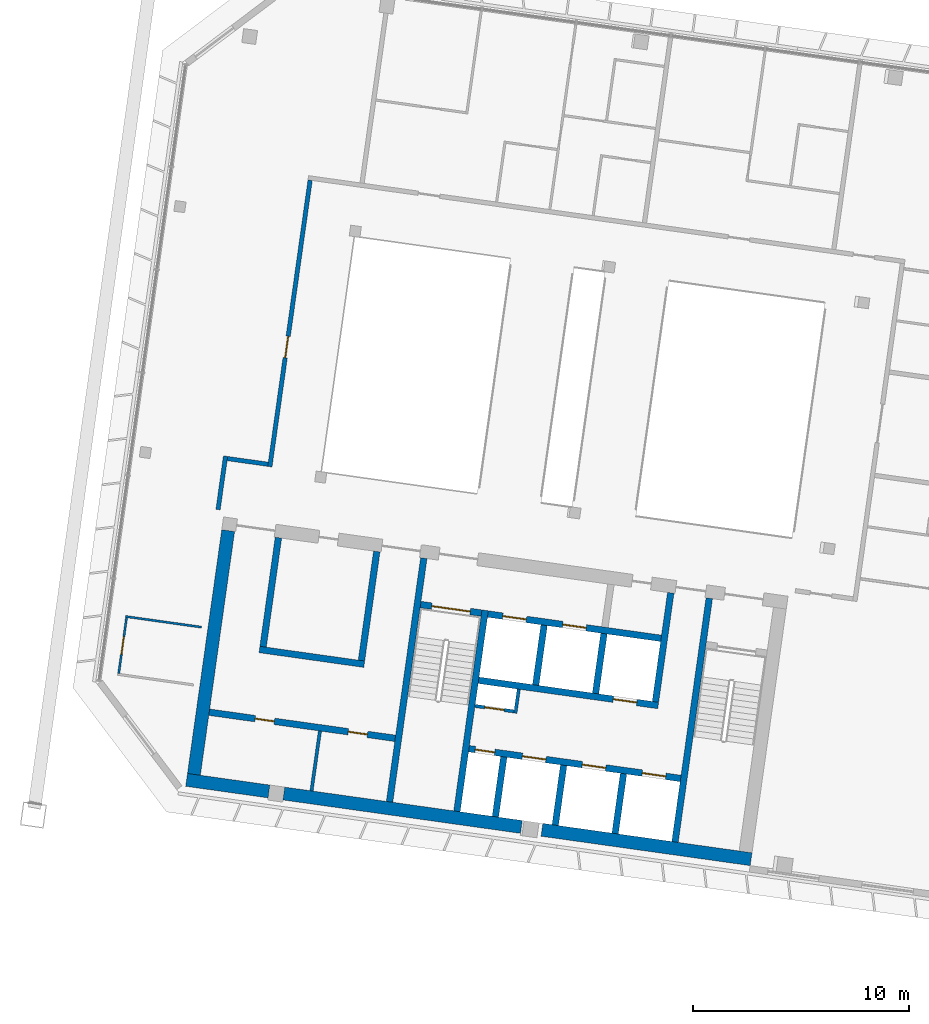
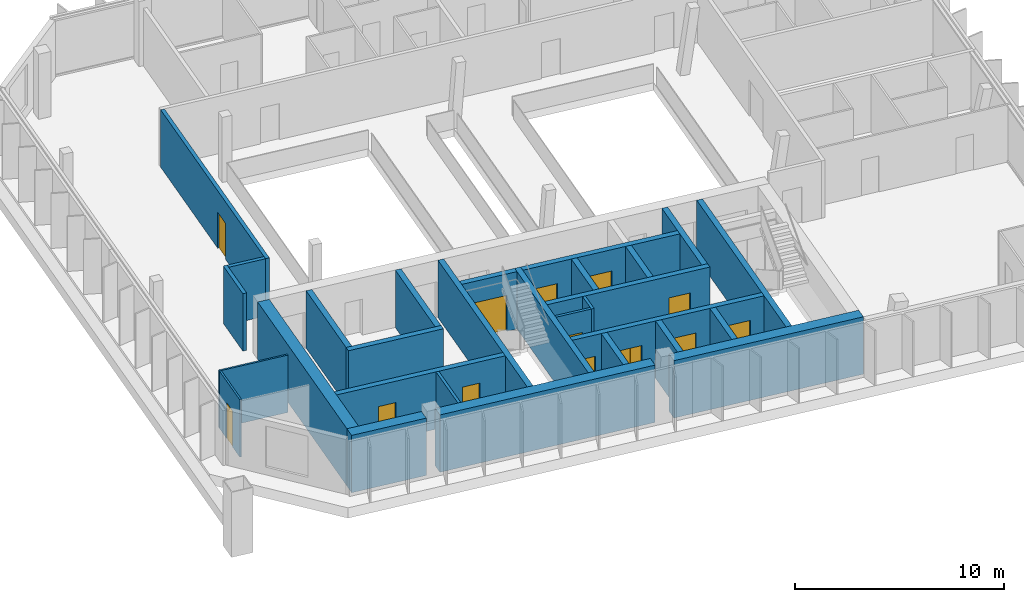
# One storey, part 16 of 26: 29 walls, 13 doors, 13 openings.
"""IFC4 building model written with IfcOpenShell, lengths in metres."""

from ifc_helpers import new_model, si_unit, direction, frame, frame_2d, origin, place, context, subcontext, project, spatial, rectangle, extrude, material, layer, layer_set, type_object, element, fill, save


model = new_model("IFC4")

# Units and contexts
model_context = context("Model", 3, precision=1e-05, world=origin(), true_north=direction((0.0, 1.0)))
body_context = subcontext(model_context, "Body", "Model", "MODEL_VIEW")
ifc_project = project(units=[si_unit("LENGTHUNIT", "METRE"), si_unit("AREAUNIT", "SQUARE_METRE"), si_unit("VOLUMEUNIT", "CUBIC_METRE"), si_unit("PLANEANGLEUNIT", "RADIAN"), si_unit("MASSUNIT", "GRAM", prefix="KILO")], contexts=[model_context])

# Site, building, storey
site_placement = place(None, origin())
site = spatial("IfcSite", under=ifc_project, at=site_placement, CompositionType="ELEMENT")
building_placement = place(site_placement, origin())
building = spatial("IfcBuilding", under=site, at=building_placement, Name="Mirante Cascada Hotel Towers", CompositionType="ELEMENT")
storey_placement = place(building_placement, frame((0.0, 0.0, 235.6)))
storey = spatial("IfcBuildingStorey", under=building, at=storey_placement, Name="L56", CompositionType="ELEMENT", Elevation=235.6)

# Wall
ifc_material_1 = material(Name="Fire-rated plasterboard on metal studs")
ifc_layer_1 = layer(ifc_material_1, 0.2)
ifc_layer_set_1 = layer_set([ifc_layer_1], Name="Compartment wall 200 EI 120")
wall_type_1 = type_object("IfcWallType", Name="Compartment wall 200 EI 120", PredefinedType="PARTITIONING", material=ifc_layer_set_1)
wall_1_placement = place(storey_placement, frame((-61.5676, -0.9969, 0.0), z_axis=(0.0, 0.0, 1.0), x_axis=(0.9902701, -0.1391589, 0.0)))
element("IfcWall", 1, at=wall_1_placement, inside=storey, type_object=wall_type_1, Name="Wall 1-L56-06", PredefinedType="PARTITIONING", context=body_context, shape_type="SweptSolid", body=[
    extrude(rectangle(XDim=1.9, YDim=0.2, at=frame_2d((0.95, 0.0))), origin(), (0.0, 0.0, 1.0), 3.35),
])

# Wall, opening, door
wall_2_placement = place(storey_placement, frame((-59.601, -1.3742, 0.0), z_axis=(0.0, 0.0, 1.0), x_axis=(0.1391726, 0.9902681, 0.0)))
wall_2 = element("IfcWall", 2, at=wall_2_placement, inside=storey, type_object=wall_type_1, Name="Wall 1-L56-43", PredefinedType="PARTITIONING", context=body_context, shape_type="SweptSolid", body=[
    extrude(rectangle(XDim=13.3999, YDim=0.2, at=frame_2d((6.7, 0.0))), origin(), (0.0, 0.0, 1.0), 3.35),
])
opening_1_placement = place(wall_2_placement, frame((5.1, 0.0, 0.0)))
opening_1 = element("IfcOpeningElement", 3, at=opening_1_placement, cuts=wall_2, Name="Opening D1-L56-26", PredefinedType="OPENING", context=body_context, shape_type="SweptSolid", body=[
    extrude(rectangle(XDim=1.0, YDim=2.1, at=frame_2d((0.5, 1.05))), frame((0.0, 0.1, 0.0), z_axis=(0.0, -1.0, 0.0), x_axis=(1.0, 0.0, 0.0)), (0.0, 0.0, 1.0), 0.2),
])
ifc_material_2 = material(Name="Fire-rated timber door leaf", Category="wood")
door_type_1 = type_object("IfcDoorType", Name="Entrance door DG1 1000x2100 EI 60", OperationType="SINGLE_SWING_LEFT", PredefinedType="DOOR", material=ifc_material_2)
door_1_placement = place(opening_1_placement, origin())
door_1 = element("IfcDoor", 4, at=door_1_placement, inside=storey, type_object=door_type_1, Name="Door D1-L56-26", OperationType="SINGLE_SWING_LEFT", OverallHeight=2.1, OverallWidth=1.0, PredefinedType="DOOR", context=body_context, shape_type="SweptSolid", body=[
    extrude(rectangle(XDim=1.0, YDim=2.1, at=frame_2d((0.5, 1.05))), frame((0.0, 0.025, 0.0), z_axis=(0.0, -1.0, 0.0), x_axis=(1.0, 0.0, 0.0)), (0.0, 0.0, 1.0), 0.05),
])
fill(opening_1, door_1)

# Walls
wall_3_placement = place(storey_placement, frame((-61.6527, -0.8839, 0.0), z_axis=(0.0, 0.0, 1.0), x_axis=(-0.1391586, -0.9902701, 0.0)))
element("IfcWall", 5, at=wall_3_placement, inside=storey, type_object=wall_type_1, Name="Wall 1-L56-44", PredefinedType="PARTITIONING", context=body_context, shape_type="SweptSolid", body=[
    extrude(rectangle(XDim=2.5, YDim=0.2, at=frame_2d((1.25, 0.0))), origin(), (0.0, 0.0, 1.0), 3.35),
])
ifc_material_3 = material(Name="Masonry block", Category="masonry")
ifc_layer_2 = layer(ifc_material_3, 0.15)
ifc_layer_set_2 = layer_set([ifc_layer_2], Name="Core room partition 150 block EI 30")
wall_type_2 = type_object("IfcWallType", Name="Core room partition 150 block EI 30", PredefinedType="PARTITIONING", material=ifc_layer_set_2)
wall_4_placement = place(storey_placement, frame((-48.2295, -12.793, 0.0), z_axis=(0.0, 0.0, 1.0), x_axis=(0.1391935, 0.9902652, 0.0)))
element("IfcWall", 6, at=wall_4_placement, inside=storey, type_object=wall_type_2, Name="Core wall partition T1 L56 2", PredefinedType="PARTITIONING", context=body_context, shape_type="SweptSolid", body=[
    extrude(rectangle(XDim=1.1251, YDim=0.15, at=frame_2d((0.5626, 0.0))), origin(), (0.0, 0.0, 1.0), 3.35),
])

# Wall, opening, door
wall_5_placement = place(storey_placement, frame((-48.2933, -12.7083, 0.0), z_axis=(0.0, 0.0, 1.0), x_axis=(-0.990268, 0.1391734, 0.0)))
wall_5 = element("IfcWall", 7, at=wall_5_placement, inside=storey, type_object=wall_type_2, Name="Core wall partition T1 L56 3", PredefinedType="PARTITIONING", context=body_context, shape_type="SweptSolid", body=[
    extrude(rectangle(XDim=1.8251, YDim=0.15, at=frame_2d((0.9126, 0.0))), origin(), (0.0, 0.0, 1.0), 3.35),
])
opening_2_placement = place(wall_5_placement, frame((0.4625, 0.0, 0.0)))
opening_2 = element("IfcOpeningElement", 8, at=opening_2_placement, cuts=wall_5, Name="Opening D1-56-C15", PredefinedType="OPENING", context=body_context, shape_type="SweptSolid", body=[
    extrude(rectangle(XDim=0.9, YDim=2.1, at=frame_2d((0.45, 1.05))), frame((0.0, 0.075, 0.0), z_axis=(0.0, -1.0, 0.0), x_axis=(1.0, 0.0, 0.0)), (0.0, 0.0, 1.0), 0.15),
])
ifc_material_4 = material(Name="Hollow metal fire door leaf")
door_type_2 = type_object("IfcDoorType", Name="Fire door 900x2100 FD60", OperationType="NOTDEFINED", PredefinedType="DOOR", material=ifc_material_4)
door_2_placement = place(opening_2_placement, origin())
door_2 = element("IfcDoor", 9, at=door_2_placement, inside=storey, type_object=door_type_2, Name="Riser door T1 L56 15", OperationType="SINGLE_SWING_LEFT", OverallHeight=2.1, OverallWidth=0.9, PredefinedType="DOOR", context=body_context, shape_type="SweptSolid", body=[
    extrude(rectangle(XDim=0.9, YDim=2.1, at=frame_2d((0.45, 1.05))), frame((0.0, 0.025, 0.0), z_axis=(0.0, -1.0, 0.0), x_axis=(1.0, 0.0, 0.0)), (0.0, 0.0, 1.0), 0.05),
])
fill(opening_2, door_2)

# Wall
wall_6_placement = place(storey_placement, frame((-57.6718, -16.3889, 0.0), z_axis=(0.0, 0.0, 1.0), x_axis=(0.139141, 0.9902726, 0.0)))
element("IfcWall", 10, at=wall_6_placement, inside=storey, type_object=wall_type_2, Name="Core wall partition T1 L56 5", PredefinedType="PARTITIONING", context=body_context, shape_type="SweptSolid", body=[
    extrude(rectangle(XDim=2.8, YDim=0.15, at=frame_2d((1.4, 0.0))), origin(), (0.0, 0.0, 1.0), 3.35),
])

# Wall, openings, doors
ifc_material_5 = material(Name="Masonry block", Category="masonry")
ifc_layer_3 = layer(ifc_material_5, 0.3)
ifc_layer_set_3 = layer_set([ifc_layer_3], Name="Core wall 300 block EI 120")
wall_type_3 = type_object("IfcWallType", Name="Core wall 300 block EI 120", PredefinedType="PARTITIONING", material=ifc_layer_set_3)
wall_7_placement = place(storey_placement, frame((-53.7953, -13.9547, 0.0), z_axis=(0.0, 0.0, 1.0), x_axis=(-0.9902683, 0.1391714, 0.0)))
wall_7 = element("IfcWall", 11, at=wall_7_placement, inside=storey, type_object=wall_type_3, Name="Core wall partition T1 L56 4", PredefinedType="PARTITIONING", context=body_context, shape_type="SweptSolid", body=[
    extrude(rectangle(XDim=8.7001, YDim=0.3, at=frame_2d((4.3501, 0.0))), origin(), (0.0, 0.0, 1.0), 3.35),
])
opening_3_placement = place(wall_7_placement, frame((1.3, 0.0, 0.0)))
opening_3 = element("IfcOpeningElement", 12, at=opening_3_placement, cuts=wall_7, Name="Opening D1-56-C17", PredefinedType="OPENING", context=body_context, shape_type="SweptSolid", body=[
    extrude(rectangle(XDim=0.9, YDim=2.1, at=frame_2d((0.45, 1.05))), frame((0.0, 0.15, 0.0), z_axis=(0.0, -1.0, 0.0), x_axis=(1.0, 0.0, 0.0)), (0.0, 0.0, 1.0), 0.3),
])
opening_4_placement = place(wall_7_placement, frame((5.65, 0.0, 0.0)))
opening_4 = element("IfcOpeningElement", 13, at=opening_4_placement, cuts=wall_7, Name="Opening D1-56-C18", PredefinedType="OPENING", context=body_context, shape_type="SweptSolid", body=[
    extrude(rectangle(XDim=0.9, YDim=2.1, at=frame_2d((0.45, 1.05))), frame((0.0, 0.15, 0.0), z_axis=(0.0, -1.0, 0.0), x_axis=(1.0, 0.0, 0.0)), (0.0, 0.0, 1.0), 0.3),
])
door_3_placement = place(opening_3_placement, origin())
door_3 = element("IfcDoor", 14, at=door_3_placement, inside=storey, type_object=door_type_2, Name="Room door T1 L56 17", OperationType="SINGLE_SWING_RIGHT", OverallHeight=2.1, OverallWidth=0.9, PredefinedType="DOOR", context=body_context, shape_type="SweptSolid", body=[
    extrude(rectangle(XDim=0.9, YDim=2.1, at=frame_2d((0.45, 1.05))), frame((0.0, 0.025, 0.0), z_axis=(0.0, -1.0, 0.0), x_axis=(1.0, 0.0, 0.0)), (0.0, 0.0, 1.0), 0.05),
])
fill(opening_3, door_3)
door_4_placement = place(opening_4_placement, origin())
door_4 = element("IfcDoor", 15, at=door_4_placement, inside=storey, type_object=door_type_2, Name="Room door T1 L56 18", OperationType="SINGLE_SWING_LEFT", OverallHeight=2.1, OverallWidth=0.9, PredefinedType="DOOR", context=body_context, shape_type="SweptSolid", body=[
    extrude(rectangle(XDim=0.9, YDim=2.1, at=frame_2d((0.45, 1.05))), frame((0.0, 0.025, 0.0), z_axis=(0.0, -1.0, 0.0), x_axis=(1.0, 0.0, 0.0)), (0.0, 0.0, 1.0), 0.05),
])
fill(opening_4, door_4)

# Wall
ifc_material_6 = material(Name="Plasterboard on metal studs")
ifc_layer_4 = layer(ifc_material_6, 0.1)
ifc_layer_set_4 = layer_set([ifc_layer_4], Name="Partition 100")
wall_type_4 = type_object("IfcWallType", Name="Partition 100", PredefinedType="PARTITIONING", material=ifc_layer_set_4)
wall_8_placement = place(storey_placement, frame((-62.7661, -8.8061, 0.0), z_axis=(0.0, 0.0, 1.0), x_axis=(-0.990267, 0.139181, 0.0)))
element("IfcWall", 16, at=wall_8_placement, inside=storey, type_object=wall_type_4, Name="Wall 1-L56-03", PredefinedType="PARTITIONING", context=body_context, shape_type="SweptSolid", body=[
    extrude(rectangle(XDim=3.5501, YDim=0.1, at=frame_2d((1.775, 0.0))), origin(), (0.0, 0.0, 1.0), 3.35),
])

# Wall, opening, door
wall_9_placement = place(storey_placement, frame((-66.6008, -10.9432, 0.0), z_axis=(0.0, 0.0, 1.0), x_axis=(0.1391541, 0.9902707, 0.0)))
wall_9 = element("IfcWall", 17, at=wall_9_placement, inside=storey, type_object=wall_type_4, Name="Wall 1-L56-45", PredefinedType="PARTITIONING", context=body_context, shape_type="SweptSolid", body=[
    extrude(rectangle(XDim=2.6, YDim=0.1, at=frame_2d((1.3, 0.0))), origin(), (0.0, 0.0, 1.0), 3.35),
])
opening_5_placement = place(wall_9_placement, frame((0.9, 0.0, 0.0)))
opening_5 = element("IfcOpeningElement", 18, at=opening_5_placement, cuts=wall_9, Name="Opening D1-L56-27", PredefinedType="OPENING", context=body_context, shape_type="SweptSolid", body=[
    extrude(rectangle(XDim=0.8, YDim=2.1, at=frame_2d((0.4, 1.05))), frame((0.0, 0.05, 0.0), z_axis=(0.0, -1.0, 0.0), x_axis=(1.0, 0.0, 0.0)), (0.0, 0.0, 1.0), 0.1),
])
ifc_material_7 = material(Name="Timber door leaf", Category="wood")
door_type_3 = type_object("IfcDoorType", Name="Bathroom door DG4 800x2100", OperationType="SINGLE_SWING_LEFT", PredefinedType="DOOR", material=ifc_material_7)
door_5_placement = place(opening_5_placement, frame((0.8, 0.0, 0.0), z_axis=(0.0, 0.0, 1.0), x_axis=(-1.0, 0.0, 0.0)))
door_5 = element("IfcDoor", 19, at=door_5_placement, inside=storey, type_object=door_type_3, Name="Door D1-L56-27", OperationType="SINGLE_SWING_RIGHT", OverallHeight=2.1, OverallWidth=0.8, PredefinedType="DOOR", context=body_context, shape_type="SweptSolid", body=[
    extrude(rectangle(XDim=0.8, YDim=2.1, at=frame_2d((0.4, 1.05))), frame((0.0, 0.025, 0.0), z_axis=(0.0, -1.0, 0.0), x_axis=(1.0, 0.0, 0.0)), (0.0, 0.0, 1.0), 0.05),
])
fill(opening_5, door_5)

# Walls
ifc_material_8 = material(Name="Concrete C50/60", Category="concrete")
ifc_layer_5 = layer(ifc_material_8, 0.3)
ifc_layer_set_5 = layer_set([ifc_layer_5], Name="RC core wall 300 C50/60")
wall_type_5 = type_object("IfcWallType", Name="RC core wall 300 C50/60", PredefinedType="SHEAR", material=ifc_layer_set_5)
wall_10_placement = place(storey_placement, frame((-40.8373, -18.7548, 0.0), z_axis=(0.0, 0.0, 1.0), x_axis=(0.1391749, 0.9902678, 0.0)))
element("IfcWall", 20, at=wall_10_placement, inside=storey, type_object=wall_type_5, Name="Core wall T1:L56:5", PredefinedType="SHEAR", context=body_context, shape_type="SweptSolid", body=[
    extrude(rectangle(XDim=11.4, YDim=0.3, at=frame_2d((5.7, 0.0))), origin(), (0.0, 0.0, 1.0), 3.35),
])
wall_11_placement = place(storey_placement, frame((-50.938, -17.3352, 0.0), z_axis=(0.0, 0.0, 1.0), x_axis=(0.1391706, 0.9902684, 0.0)))
element("IfcWall", 21, at=wall_11_placement, inside=storey, type_object=wall_type_5, Name="Core wall T1:L56:6", PredefinedType="SHEAR", context=body_context, shape_type="SweptSolid", body=[
    extrude(rectangle(XDim=9.4, YDim=0.3, at=frame_2d((4.7, 0.0))), origin(), (0.0, 0.0, 1.0), 3.35),
])
wall_12_placement = place(storey_placement, frame((-54.0574, -16.8968, 0.0), z_axis=(0.0, 0.0, 1.0), x_axis=(0.1391761, 0.9902677, 0.0)))
element("IfcWall", 22, at=wall_12_placement, inside=storey, type_object=wall_type_5, Name="Core wall T1:L56:7", PredefinedType="SHEAR", context=body_context, shape_type="SweptSolid", body=[
    extrude(rectangle(XDim=11.3999, YDim=0.3, at=frame_2d((5.7, 0.0))), origin(), (0.0, 0.0, 1.0), 3.35),
])

# Wall, opening, door
wall_13_placement = place(storey_placement, frame((-49.7992, -8.1544, 0.0), z_axis=(0.0, 0.0, 1.0), x_axis=(-0.9902656, 0.1391909, 0.0)))
wall_13 = element("IfcWall", 23, at=wall_13_placement, inside=storey, type_object=wall_type_5, Name="Core wall T1:L56:9", PredefinedType="SHEAR", context=body_context, shape_type="SweptSolid", body=[
    extrude(rectangle(XDim=2.85, YDim=0.3, at=frame_2d((1.425, 0.0))), origin(), (0.0, 0.0, 1.0), 3.35),
])
opening_6_placement = place(wall_13_placement, frame((0.525, 0.0, 0.0)))
opening_6 = element("IfcOpeningElement", 24, at=opening_6_placement, cuts=wall_13, Name="Opening D1-56-C09", PredefinedType="OPENING", context=body_context, shape_type="SweptSolid", body=[
    extrude(rectangle(XDim=1.8, YDim=2.1, at=frame_2d((0.9, 1.05))), frame((0.0, 0.15, 0.0), z_axis=(0.0, -1.0, 0.0), x_axis=(1.0, 0.0, 0.0)), (0.0, 0.0, 1.0), 0.3),
])
ifc_material_9 = material(Name="Hollow metal fire door leaf")
door_type_4 = type_object("IfcDoorType", Name="Double fire door 1800x2100 FD60", OperationType="DOUBLE_DOOR_SINGLE_SWING", PredefinedType="DOOR", material=ifc_material_9)
door_6_placement = place(opening_6_placement, origin())
door_6 = element("IfcDoor", 25, at=door_6_placement, inside=storey, type_object=door_type_4, Name="Stair door T1 L56 9", OperationType="DOUBLE_DOOR_SINGLE_SWING", OverallHeight=2.1, OverallWidth=1.8, PredefinedType="DOOR", context=body_context, shape_type="SweptSolid", body=[
    extrude(rectangle(XDim=0.895, YDim=2.1, at=frame_2d((0.4475, 1.05))), frame((0.0, 0.025, 0.0), z_axis=(0.0, -1.0, 0.0), x_axis=(1.0, 0.0, 0.0)), (0.0, 0.0, 1.0), 0.05),
    extrude(rectangle(XDim=0.895, YDim=2.1, at=frame_2d((1.3525, 1.05))), frame((0.0, 0.025, 0.0), z_axis=(0.0, -1.0, 0.0), x_axis=(1.0, 0.0, 0.0)), (0.0, 0.0, 1.0), 0.05),
])
fill(opening_6, door_6)

# Wall, openings, doors
wall_14_placement = place(storey_placement, frame((-40.5753, -15.8126, 0.0), z_axis=(0.0, 0.0, 1.0), x_axis=(-0.9902682, 0.1391725, 0.0)))
wall_14 = element("IfcWall", 26, at=wall_14_placement, inside=storey, type_object=wall_type_5, Name="Core wall T1:L56:10", PredefinedType="SHEAR", context=body_context, shape_type="SweptSolid", body=[
    extrude(rectangle(XDim=9.8999, YDim=0.3, at=frame_2d((4.95, 0.0))), origin(), (0.0, 0.0, 1.0), 3.35),
])
opening_7_placement = place(wall_14_placement, frame((0.7, 0.0, 0.0)))
opening_7 = element("IfcOpeningElement", 27, at=opening_7_placement, cuts=wall_14, Name="Opening LD", PredefinedType="OPENING", context=body_context, shape_type="SweptSolid", body=[
    extrude(rectangle(XDim=1.1, YDim=2.1, at=frame_2d((0.55, 1.05))), frame((0.0, 0.15, 0.0), z_axis=(0.0, -1.0, 0.0), x_axis=(1.0, 0.0, 0.0)), (0.0, 0.0, 1.0), 0.3),
])
opening_8_placement = place(wall_14_placement, frame((3.5, 0.0, 0.0)))
opening_8 = element("IfcOpeningElement", 28, at=opening_8_placement, cuts=wall_14, Name="Opening LD", PredefinedType="OPENING", context=body_context, shape_type="SweptSolid", body=[
    extrude(rectangle(XDim=1.1, YDim=2.1, at=frame_2d((0.55, 1.05))), frame((0.0, 0.15, 0.0), z_axis=(0.0, -1.0, 0.0), x_axis=(1.0, 0.0, 0.0)), (0.0, 0.0, 1.0), 0.3),
])
opening_9_placement = place(wall_14_placement, frame((6.3, 0.0, 0.0)))
opening_9 = element("IfcOpeningElement", 29, at=opening_9_placement, cuts=wall_14, Name="Opening LD", PredefinedType="OPENING", context=body_context, shape_type="SweptSolid", body=[
    extrude(rectangle(XDim=1.1, YDim=2.1, at=frame_2d((0.55, 1.05))), frame((0.0, 0.15, 0.0), z_axis=(0.0, -1.0, 0.0), x_axis=(1.0, 0.0, 0.0)), (0.0, 0.0, 1.0), 0.3),
])
opening_10_placement = place(wall_14_placement, frame((8.7, 0.0, 0.0)))
opening_10 = element("IfcOpeningElement", 30, at=opening_10_placement, cuts=wall_14, Name="Opening D1-56-C14", PredefinedType="OPENING", context=body_context, shape_type="SweptSolid", body=[
    extrude(rectangle(XDim=0.9, YDim=2.1, at=frame_2d((0.45, 1.05))), frame((0.0, 0.15, 0.0), z_axis=(0.0, -1.0, 0.0), x_axis=(1.0, 0.0, 0.0)), (0.0, 0.0, 1.0), 0.3),
])
door_7_placement = place(opening_10_placement, origin())
door_7 = element("IfcDoor", 31, at=door_7_placement, inside=storey, type_object=door_type_2, Name="Riser door T1 L56 14", OperationType="SINGLE_SWING_LEFT", OverallHeight=2.1, OverallWidth=0.9, PredefinedType="DOOR", context=body_context, shape_type="SweptSolid", body=[
    extrude(rectangle(XDim=0.9, YDim=2.1, at=frame_2d((0.45, 1.05))), frame((0.0, 0.025, 0.0), z_axis=(0.0, -1.0, 0.0), x_axis=(1.0, 0.0, 0.0)), (0.0, 0.0, 1.0), 0.05),
])
fill(opening_10, door_7)
ifc_material_10 = material(Name="Stainless steel", Category="steel")
door_type_5 = type_object("IfcDoorType", Name="Lift landing door 1100x2100 EI 120", OperationType="DOUBLE_DOOR_SLIDING", PredefinedType="DOOR", material=ifc_material_10)
door_8_placement = place(opening_7_placement, origin())
door_8 = element("IfcDoor", 32, at=door_8_placement, inside=storey, type_object=door_type_5, Name="Lift landing door HR1-1 L56", OperationType="DOUBLE_DOOR_SLIDING", OverallHeight=2.1, OverallWidth=1.1, PredefinedType="DOOR", context=body_context, shape_type="SweptSolid", body=[
    extrude(rectangle(XDim=0.545, YDim=2.1, at=frame_2d((0.2725, 1.05))), frame((0.0, 0.025, 0.0), z_axis=(0.0, -1.0, 0.0), x_axis=(1.0, 0.0, 0.0)), (0.0, 0.0, 1.0), 0.05),
    extrude(rectangle(XDim=0.545, YDim=2.1, at=frame_2d((0.8275, 1.05))), frame((0.0, 0.025, 0.0), z_axis=(0.0, -1.0, 0.0), x_axis=(1.0, 0.0, 0.0)), (0.0, 0.0, 1.0), 0.05),
])
fill(opening_7, door_8)
door_9_placement = place(opening_8_placement, origin())
door_9 = element("IfcDoor", 33, at=door_9_placement, inside=storey, type_object=door_type_5, Name="Lift landing door HR1-2 L56", OperationType="DOUBLE_DOOR_SLIDING", OverallHeight=2.1, OverallWidth=1.1, PredefinedType="DOOR", context=body_context, shape_type="SweptSolid", body=[
    extrude(rectangle(XDim=0.545, YDim=2.1, at=frame_2d((0.2725, 1.05))), frame((0.0, 0.025, 0.0), z_axis=(0.0, -1.0, 0.0), x_axis=(1.0, 0.0, 0.0)), (0.0, 0.0, 1.0), 0.05),
    extrude(rectangle(XDim=0.545, YDim=2.1, at=frame_2d((0.8275, 1.05))), frame((0.0, 0.025, 0.0), z_axis=(0.0, -1.0, 0.0), x_axis=(1.0, 0.0, 0.0)), (0.0, 0.0, 1.0), 0.05),
])
fill(opening_8, door_9)
door_10_placement = place(opening_9_placement, origin())
door_10 = element("IfcDoor", 34, at=door_10_placement, inside=storey, type_object=door_type_5, Name="Lift landing door HR1-3 L56", OperationType="DOUBLE_DOOR_SLIDING", OverallHeight=2.1, OverallWidth=1.1, PredefinedType="DOOR", context=body_context, shape_type="SweptSolid", body=[
    extrude(rectangle(XDim=0.545, YDim=2.1, at=frame_2d((0.2725, 1.05))), frame((0.0, 0.025, 0.0), z_axis=(0.0, -1.0, 0.0), x_axis=(1.0, 0.0, 0.0)), (0.0, 0.0, 1.0), 0.05),
    extrude(rectangle(XDim=0.545, YDim=2.1, at=frame_2d((0.8275, 1.05))), frame((0.0, 0.025, 0.0), z_axis=(0.0, -1.0, 0.0), x_axis=(1.0, 0.0, 0.0)), (0.0, 0.0, 1.0), 0.05),
])
fill(opening_9, door_10)

# Wall, opening, door
wall_15_placement = place(storey_placement, frame((-41.6153, -12.435, 0.0), z_axis=(0.0, 0.0, 1.0), x_axis=(-0.9902691, 0.139166, 0.0)))
wall_15 = element("IfcWall", 35, at=wall_15_placement, inside=storey, type_object=wall_type_5, Name="Core wall T1:L56:11", PredefinedType="SHEAR", context=body_context, shape_type="SweptSolid", body=[
    extrude(rectangle(XDim=8.4, YDim=0.3, at=frame_2d((4.2, 0.0))), origin(), (0.0, 0.0, 1.0), 3.35),
])
opening_11_placement = place(wall_15_placement, frame((1.0, 0.0, 0.0)))
opening_11 = element("IfcOpeningElement", 36, at=opening_11_placement, cuts=wall_15, Name="Opening LD", PredefinedType="OPENING", context=body_context, shape_type="SweptSolid", body=[
    extrude(rectangle(XDim=1.1, YDim=2.1, at=frame_2d((0.55, 1.05))), frame((0.0, 0.15, 0.0), z_axis=(0.0, -1.0, 0.0), x_axis=(1.0, 0.0, 0.0)), (0.0, 0.0, 1.0), 0.3),
])
door_11_placement = place(opening_11_placement, origin())
door_11 = element("IfcDoor", 37, at=door_11_placement, inside=storey, type_object=door_type_5, Name="Lift landing door HR1-4 L56", OperationType="DOUBLE_DOOR_SLIDING", OverallHeight=2.1, OverallWidth=1.1, PredefinedType="DOOR", context=body_context, shape_type="SweptSolid", body=[
    extrude(rectangle(XDim=0.545, YDim=2.1, at=frame_2d((0.2725, 1.05))), frame((0.0, 0.025, 0.0), z_axis=(0.0, -1.0, 0.0), x_axis=(1.0, 0.0, 0.0)), (0.0, 0.0, 1.0), 0.05),
    extrude(rectangle(XDim=0.545, YDim=2.1, at=frame_2d((0.8275, 1.05))), frame((0.0, 0.025, 0.0), z_axis=(0.0, -1.0, 0.0), x_axis=(1.0, 0.0, 0.0)), (0.0, 0.0, 1.0), 0.05),
])
fill(opening_11, door_11)

# Wall, openings, doors
wall_16_placement = place(storey_placement, frame((-41.481, -9.3234, 0.0), z_axis=(0.0, 0.0, 1.0), x_axis=(-0.9902679, 0.1391741, 0.0)))
wall_16 = element("IfcWall", 38, at=wall_16_placement, inside=storey, type_object=wall_type_5, Name="Core wall T1:L56:12", PredefinedType="SHEAR", context=body_context, shape_type="SweptSolid", body=[
    extrude(rectangle(XDim=8.0999, YDim=0.3, at=frame_2d((4.05, 0.0))), origin(), (0.0, 0.0, 1.0), 3.35),
])
opening_12_placement = place(wall_16_placement, frame((3.5, 0.0, 0.0)))
opening_12 = element("IfcOpeningElement", 39, at=opening_12_placement, cuts=wall_16, Name="Opening LD", PredefinedType="OPENING", context=body_context, shape_type="SweptSolid", body=[
    extrude(rectangle(XDim=1.1, YDim=2.1, at=frame_2d((0.55, 1.05))), frame((0.0, 0.15, 0.0), z_axis=(0.0, -1.0, 0.0), x_axis=(1.0, 0.0, 0.0)), (0.0, 0.0, 1.0), 0.3),
])
opening_13_placement = place(wall_16_placement, frame((6.3, 0.0, 0.0)))
opening_13 = element("IfcOpeningElement", 40, at=opening_13_placement, cuts=wall_16, Name="Opening LD", PredefinedType="OPENING", context=body_context, shape_type="SweptSolid", body=[
    extrude(rectangle(XDim=1.1, YDim=2.1, at=frame_2d((0.55, 1.05))), frame((0.0, 0.15, 0.0), z_axis=(0.0, -1.0, 0.0), x_axis=(1.0, 0.0, 0.0)), (0.0, 0.0, 1.0), 0.3),
])
door_12_placement = place(opening_12_placement, origin())
door_12 = element("IfcDoor", 41, at=door_12_placement, inside=storey, type_object=door_type_5, Name="Lift landing door FF1 L56", OperationType="DOUBLE_DOOR_SLIDING", OverallHeight=2.1, OverallWidth=1.1, PredefinedType="DOOR", context=body_context, shape_type="SweptSolid", body=[
    extrude(rectangle(XDim=0.545, YDim=2.1, at=frame_2d((0.2725, 1.05))), frame((0.0, 0.025, 0.0), z_axis=(0.0, -1.0, 0.0), x_axis=(1.0, 0.0, 0.0)), (0.0, 0.0, 1.0), 0.05),
    extrude(rectangle(XDim=0.545, YDim=2.1, at=frame_2d((0.8275, 1.05))), frame((0.0, 0.025, 0.0), z_axis=(0.0, -1.0, 0.0), x_axis=(1.0, 0.0, 0.0)), (0.0, 0.0, 1.0), 0.05),
])
fill(opening_12, door_12)
door_13_placement = place(opening_13_placement, origin())
door_13 = element("IfcDoor", 42, at=door_13_placement, inside=storey, type_object=door_type_5, Name="Lift landing door FF2 L56", OperationType="DOUBLE_DOOR_SLIDING", OverallHeight=2.1, OverallWidth=1.1, PredefinedType="DOOR", context=body_context, shape_type="SweptSolid", body=[
    extrude(rectangle(XDim=0.545, YDim=2.1, at=frame_2d((0.2725, 1.05))), frame((0.0, 0.025, 0.0), z_axis=(0.0, -1.0, 0.0), x_axis=(1.0, 0.0, 0.0)), (0.0, 0.0, 1.0), 0.05),
    extrude(rectangle(XDim=0.545, YDim=2.1, at=frame_2d((0.8275, 1.05))), frame((0.0, 0.025, 0.0), z_axis=(0.0, -1.0, 0.0), x_axis=(1.0, 0.0, 0.0)), (0.0, 0.0, 1.0), 0.05),
])
fill(opening_13, door_13)

# Walls
wall_17_placement = place(storey_placement, frame((-43.61, -18.3651, 0.0), z_axis=(0.0, 0.0, 1.0), x_axis=(0.1391459, 0.9902719, 0.0)))
element("IfcWall", 43, at=wall_17_placement, inside=storey, type_object=wall_type_5, Name="Core wall T1:L56:13", PredefinedType="SHEAR", context=body_context, shape_type="SweptSolid", body=[
    extrude(rectangle(XDim=2.7999, YDim=0.3, at=frame_2d((1.4, 0.0))), origin(), (0.0, 0.0, 1.0), 3.35),
])
wall_18_placement = place(storey_placement, frame((-46.3828, -17.9754, 0.0), z_axis=(0.0, 0.0, 1.0), x_axis=(0.139181, 0.990267, 0.0)))
element("IfcWall", 44, at=wall_18_placement, inside=storey, type_object=wall_type_5, Name="Core wall T1:L56:14", PredefinedType="SHEAR", context=body_context, shape_type="SweptSolid", body=[
    extrude(rectangle(XDim=2.8, YDim=0.3, at=frame_2d((1.4, 0.0))), origin(), (0.0, 0.0, 1.0), 3.35),
])
wall_19_placement = place(storey_placement, frame((-49.1555, -17.5857, 0.0), z_axis=(0.0, 0.0, 1.0), x_axis=(0.1391459, 0.9902719, 0.0)))
element("IfcWall", 45, at=wall_19_placement, inside=storey, type_object=wall_type_5, Name="Core wall T1:L56:15", PredefinedType="SHEAR", context=body_context, shape_type="SweptSolid", body=[
    extrude(rectangle(XDim=2.7999, YDim=0.3, at=frame_2d((1.4, 0.0))), origin(), (0.0, 0.0, 1.0), 3.35),
])
for number, where, z_axis, x_axis, name in (
    (46, (-44.5157, -11.8759, 0.0), (0.0, 0.0, 1.0), (0.139181, 0.990267, 0.0), "Core wall T1:L56:16"),
    (47, (-47.2885, -11.4862, 0.0), (0.0, 0.0, 1.0), (0.139181, 0.990267, 0.0), "Core wall T1:L56:17"),
):
    element("IfcWall", number, at=place(storey_placement, frame(where, z_axis=z_axis, x_axis=x_axis)), inside=storey, type_object=wall_type_5, Name=name, PredefinedType="SHEAR", context=body_context, shape_type="SweptSolid", body=[
        extrude(rectangle(XDim=2.8, YDim=0.3, at=frame_2d((1.4, 0.0))), origin(), (0.0, 0.0, 1.0), 3.35),
    ])
wall_20_placement = place(storey_placement, frame((-41.743, -12.2656, 0.0), z_axis=(0.0, 0.0, 1.0), x_axis=(0.1391755, 0.9902677, 0.0)))
element("IfcWall", 48, at=wall_20_placement, inside=storey, type_object=wall_type_5, Name="Core wall T1:L56:18", PredefinedType="SHEAR", context=body_context, shape_type="SweptSolid", body=[
    extrude(rectangle(XDim=5.1, YDim=0.3, at=frame_2d((2.55, 0.0))), origin(), (0.0, 0.0, 1.0), 3.35),
])
wall_21_placement = place(storey_placement, frame((-55.2315, -10.5214, 0.0), z_axis=(0.0, 0.0, 1.0), x_axis=(-0.9902666, 0.1391838, 0.0)))
element("IfcWall", 49, at=wall_21_placement, inside=storey, type_object=wall_type_5, Name="Core wall T1:L56:24", PredefinedType="SHEAR", context=body_context, shape_type="SweptSolid", body=[
    extrude(rectangle(XDim=4.9, YDim=0.3, at=frame_2d((2.45, 0.0))), origin(), (0.0, 0.0, 1.0), 3.35),
])
for number, where, z_axis, x_axis, name in (
    (50, (-55.3592, -10.352, 0.0), (0.0, 0.0, 1.0), (0.1391755, 0.9902677, 0.0), "Core wall T1:L56:25"),
    (51, (-59.9144, -9.7118, 0.0), (0.0, 0.0, 1.0), (0.1391755, 0.9902677, 0.0), "Core wall T1:L56:26"),
):
    element("IfcWall", number, at=place(storey_placement, frame(where, z_axis=z_axis, x_axis=x_axis)), inside=storey, type_object=wall_type_5, Name=name, PredefinedType="SHEAR", context=body_context, shape_type="SweptSolid", body=[
        extrude(rectangle(XDim=5.1, YDim=0.3, at=frame_2d((2.55, 0.0))), origin(), (0.0, 0.0, 1.0), 3.35),
    ])
ifc_material_11 = material(Name="Concrete C50/60", Category="concrete")
ifc_layer_6 = layer(ifc_material_11, 0.6)
ifc_layer_set_6 = layer_set([ifc_layer_6], Name="RC core wall 600 C50/60")
wall_type_6 = type_object("IfcWallType", Name="RC core wall 600 C50/60", PredefinedType="SHEAR", material=ifc_layer_set_6)
wall_22_placement = place(storey_placement, frame((-37.3141, -19.5529, 0.0), z_axis=(0.0, 0.0, 1.0), x_axis=(-0.9902677, 0.139176, 0.0)))
element("IfcWall", 52, at=wall_22_placement, inside=storey, type_object=wall_type_6, Name="Core wall T1:L56:1.1", PredefinedType="SHEAR", context=body_context, shape_type="SweptSolid", body=[
    extrude(rectangle(XDim=9.7783, YDim=0.6, at=frame_2d((4.8892, 0.0))), origin(), (0.0, 0.0, 1.0), 3.35),
])
wall_23_placement = place(storey_placement, frame((-47.9533, -18.0577, 0.0), z_axis=(0.0, 0.0, 1.0), x_axis=(-0.9902678, 0.1391747, 0.0)))
element("IfcWall", 53, at=wall_23_placement, inside=storey, type_object=wall_type_6, Name="Core wall T1:L56:1.2", PredefinedType="SHEAR", context=body_context, shape_type="SweptSolid", body=[
    extrude(rectangle(XDim=11.1062, YDim=0.6, at=frame_2d((5.5531, 0.0))), origin(), (0.0, 0.0, 1.0), 3.35),
])
wall_24_placement = place(storey_placement, frame((-59.6446, -16.4145, 0.0), z_axis=(0.0, 0.0, 1.0), x_axis=(-0.9902685, 0.1391701, 0.0)))
element("IfcWall", 54, at=wall_24_placement, inside=storey, type_object=wall_type_6, Name="Core wall T1:L56:1.3", PredefinedType="SHEAR", context=body_context, shape_type="SweptSolid", body=[
    extrude(rectangle(XDim=3.85, YDim=0.6, at=frame_2d((1.925, 0.0))), origin(), (0.0, 0.0, 1.0), 3.35),
])
wall_25_placement = place(storey_placement, frame((-63.1183, -15.6234, 0.0), z_axis=(0.0, 0.0, 1.0), x_axis=(0.1391749, 0.9902678, 0.0)))
element("IfcWall", 55, at=wall_25_placement, inside=storey, type_object=wall_type_6, Name="Core wall T1:L56:4", PredefinedType="SHEAR", context=body_context, shape_type="SweptSolid", body=[
    extrude(rectangle(XDim=11.4, YDim=0.6, at=frame_2d((5.7, 0.0))), origin(), (0.0, 0.0, 1.0), 3.35),
])

save(model, "model.ifc")
